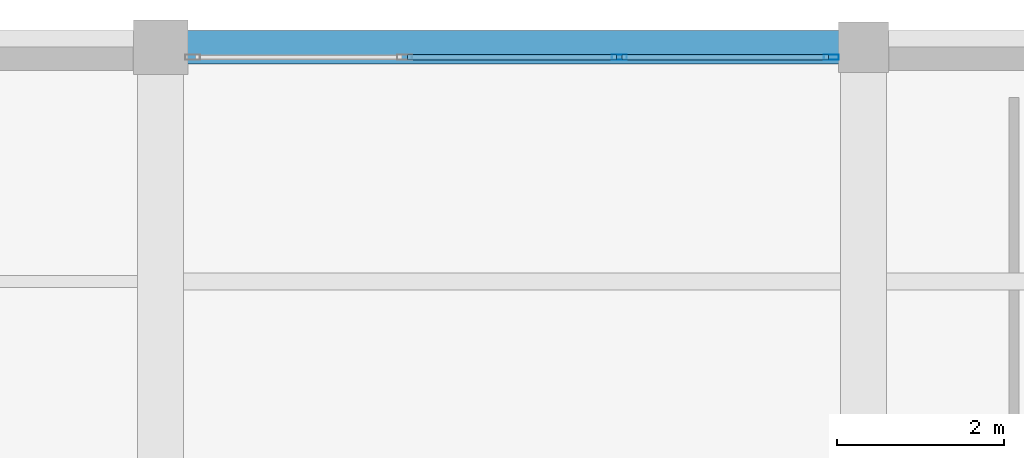
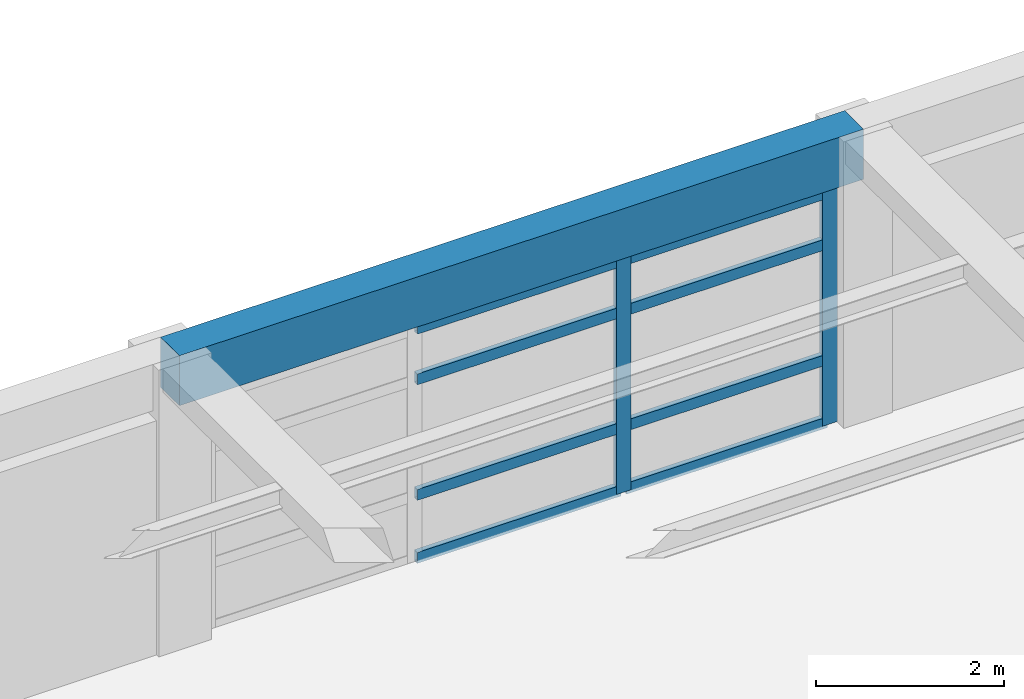
# One storey, part 19 of 26: 10 members, 1 beam, 1 element without a shape of its own.
"""IFC4 building model written with IfcOpenShell, lengths in metres."""

from ifc_helpers import new_model, si_unit, direction, frame, origin, origin_2d, place, context, subcontext, project, spatial, rectangle, hollow_rectangle, extrude, material, material_profile, profile_set, type_object, element, aggregate, save


model = new_model("IFC4")

# Units and contexts
model_context = context("Model", 3, precision=1e-05, world=origin(), true_north=direction((0.0, 1.0)))
body_context = subcontext(model_context, "Body", "Model", "MODEL_VIEW")
ifc_project = project(units=[si_unit("LENGTHUNIT", "METRE"), si_unit("AREAUNIT", "SQUARE_METRE"), si_unit("VOLUMEUNIT", "CUBIC_METRE"), si_unit("PLANEANGLEUNIT", "RADIAN"), si_unit("MASSUNIT", "GRAM", prefix="KILO")], contexts=[model_context])

# Site, building, storey
site_placement = place(None, origin())
site = spatial("IfcSite", under=ifc_project, at=site_placement, CompositionType="ELEMENT")
building_placement = place(site_placement, origin())
building = spatial("IfcBuilding", under=site, at=building_placement, Name="Almacenes y Pasaje Nevantli", CompositionType="ELEMENT")
storey_placement = place(building_placement, frame((0.0, 0.0, 46.699951171875)))
storey = spatial("IfcBuildingStorey", under=building, at=storey_placement, Name="L11", CompositionType="ELEMENT", Elevation=46.699951171875)

# Beam
ifc_material_1 = material(Name="Concrete C35/45", Category="concrete")
ifc_material_profile_1 = material_profile(ifc_material_1, rectangle(XDim=0.39990234375, YDim=0.64990234375, at=origin_2d()), Name="RC-BM-400x650")
ifc_profile_set_1 = profile_set([ifc_material_profile_1], Name="Concrete C35/45")
beam_type = type_object("IfcBeamType", Name="BM-RC-400x650", PredefinedType="SPANDREL", material=ifc_profile_set_1)
beam_placement = place(storey_placement, frame((134.39990234375, 100.800048828125, 3.39501953125), z_axis=(1.0, 0.0, 0.0), x_axis=(0.0, 1.0, 0.0)))
element("IfcBeam", 1, at=beam_placement, inside=storey, type_object=beam_type, Name="L11 East-West Reinforced Concrete Beam #3866", PredefinedType="SPANDREL", context=body_context, shape_type="SweptSolid", body=[
    extrude(rectangle(XDim=0.39990234375, YDim=0.64990234375, at=origin_2d()), origin(), (0.0, 0.0, 1.0), 8.400146484375),
])

# Curtain wall, members
ifc_material_2 = material(Name="Thermally Broken Aluminium and Low-E Glass", Category="aluminium")
curtain_wall_type = type_object("IfcCurtainWallType", Name="CW-UNIT-TOWER", PredefinedType="USERDEFINED", material=ifc_material_2)
curtain_wall_placement = place(storey_placement, origin())
curtain_wall = element("IfcCurtainWall", 2, at=curtain_wall_placement, inside=storey, type_object=curtain_wall_type, Name="L11 Tower North Boulevard Unitized Curtain Wall Bay 17", ObjectType="UNITIZED CURTAIN WALL", PredefinedType="USERDEFINED")
ifc_material_3 = material(Name="Thermally Broken Anodized Aluminium", Category="aluminium")
ifc_material_profile_2 = material_profile(ifc_material_3, hollow_rectangle(XDim=0.06494140625, YDim=0.179931640625, WallThickness=0.00390625, at=origin_2d()), Name="ALU-MUL-65x180")
ifc_profile_set_2 = profile_set([ifc_material_profile_2], Name="Thermally Broken Anodized Aluminium")
member_type_1 = type_object("IfcMemberType", Name="CW-MUL-200", PredefinedType="MULLION", material=ifc_profile_set_2)
member_1_placement = place(storey_placement, frame((139.88330078125, 100.679931640625, 0.0), z_axis=(0.0, 0.0, 1.0), x_axis=(0.0, 1.0, 0.0)))
member_1 = element("IfcMember", 3, at=member_1_placement, type_object=member_type_1, Name="CW-L11-152 mullion 3", PredefinedType="MULLION", context=body_context, shape_type="SweptSolid", body=[
    extrude(hollow_rectangle(XDim=0.06494140625, YDim=0.179931640625, WallThickness=0.00390625, at=origin_2d()), origin(), (0.0, 0.0, 1.0), 3.0400390625),
])
member_2_placement = place(storey_placement, frame((142.41748046875, 100.679931640625, 0.0), z_axis=(0.0, 0.0, 1.0), x_axis=(0.0, 1.0, 0.0)))
member_2 = element("IfcMember", 4, at=member_2_placement, type_object=member_type_1, Name="CW-L11-152 mullion 4", PredefinedType="MULLION", context=body_context, shape_type="SweptSolid", body=[
    extrude(hollow_rectangle(XDim=0.06494140625, YDim=0.179931640625, WallThickness=0.00390625, at=origin_2d()), origin(), (0.0, 0.0, 1.0), 3.0400390625),
])
ifc_material_4 = material(Name="Thermally Broken Anodized Aluminium", Category="aluminium")
ifc_material_profile_3 = material_profile(ifc_material_4, hollow_rectangle(XDim=0.06494140625, YDim=0.139892578125, WallThickness=0.00390625, at=origin_2d()), Name="ALU-TRN-65x140")
ifc_profile_set_3 = profile_set([ifc_material_profile_3], Name="Thermally Broken Anodized Aluminium")
member_type_2 = type_object("IfcMemberType", Name="CW-TRN-150", PredefinedType="USERDEFINED", material=ifc_profile_set_3)
member_3_placement = place(storey_placement, frame((137.34912109375, 100.679931640625, 0.032470703125), z_axis=(1.0, 0.0, 0.0), x_axis=(0.0, 1.0, 0.0)))
member_3 = element("IfcMember", 5, at=member_3_placement, type_object=member_type_2, Name="CW-L11-152 transom 2.1", ObjectType="TRANSOM", PredefinedType="USERDEFINED", context=body_context, shape_type="SweptSolid", body=[
    extrude(hollow_rectangle(XDim=0.06494140625, YDim=0.139892578125, WallThickness=0.00390625, at=origin_2d()), origin(), (0.0, 0.0, 1.0), 2.501708984375),
])
member_4_placement = place(storey_placement, frame((137.34912109375, 100.679931640625, 0.85009765625), z_axis=(1.0, 0.0, 0.0), x_axis=(0.0, 1.0, 0.0)))
member_4 = element("IfcMember", 6, at=member_4_placement, type_object=member_type_2, Name="CW-L11-152 transom 2.2", ObjectType="TRANSOM", PredefinedType="USERDEFINED", context=body_context, shape_type="SweptSolid", body=[
    extrude(hollow_rectangle(XDim=0.06494140625, YDim=0.139892578125, WallThickness=0.00390625, at=origin_2d()), origin(), (0.0, 0.0, 1.0), 2.501708984375),
])
member_5_placement = place(storey_placement, frame((137.34912109375, 100.679931640625, 2.35009765625), z_axis=(1.0, 0.0, 0.0), x_axis=(0.0, 1.0, 0.0)))
member_5 = element("IfcMember", 7, at=member_5_placement, type_object=member_type_2, Name="CW-L11-152 transom 2.3", ObjectType="TRANSOM", PredefinedType="USERDEFINED", context=body_context, shape_type="SweptSolid", body=[
    extrude(hollow_rectangle(XDim=0.06494140625, YDim=0.139892578125, WallThickness=0.00390625, at=origin_2d()), origin(), (0.0, 0.0, 1.0), 2.501708984375),
])
member_6_placement = place(storey_placement, frame((137.34912109375, 100.679931640625, 3.007568359375), z_axis=(1.0, 0.0, 0.0), x_axis=(0.0, 1.0, 0.0)))
member_6 = element("IfcMember", 8, at=member_6_placement, type_object=member_type_2, Name="CW-L11-152 transom 2.4", ObjectType="TRANSOM", PredefinedType="USERDEFINED", context=body_context, shape_type="SweptSolid", body=[
    extrude(hollow_rectangle(XDim=0.06494140625, YDim=0.139892578125, WallThickness=0.00390625, at=origin_2d()), origin(), (0.0, 0.0, 1.0), 2.501708984375),
])
member_7_placement = place(storey_placement, frame((139.915771484375, 100.679931640625, 0.032470703125), z_axis=(1.0, 0.0, 0.0), x_axis=(0.0, 1.0, 0.0)))
member_7 = element("IfcMember", 9, at=member_7_placement, type_object=member_type_2, Name="CW-L11-152 transom 3.1", ObjectType="TRANSOM", PredefinedType="USERDEFINED", context=body_context, shape_type="SweptSolid", body=[
    extrude(hollow_rectangle(XDim=0.06494140625, YDim=0.139892578125, WallThickness=0.00390625, at=origin_2d()), origin(), (0.0, 0.0, 1.0), 2.46923828125),
])
member_8_placement = place(storey_placement, frame((139.915771484375, 100.679931640625, 0.85009765625), z_axis=(1.0, 0.0, 0.0), x_axis=(0.0, 1.0, 0.0)))
member_8 = element("IfcMember", 10, at=member_8_placement, type_object=member_type_2, Name="CW-L11-152 transom 3.2", ObjectType="TRANSOM", PredefinedType="USERDEFINED", context=body_context, shape_type="SweptSolid", body=[
    extrude(hollow_rectangle(XDim=0.06494140625, YDim=0.139892578125, WallThickness=0.00390625, at=origin_2d()), origin(), (0.0, 0.0, 1.0), 2.46923828125),
])
member_9_placement = place(storey_placement, frame((139.915771484375, 100.679931640625, 2.35009765625), z_axis=(1.0, 0.0, 0.0), x_axis=(0.0, 1.0, 0.0)))
member_9 = element("IfcMember", 11, at=member_9_placement, type_object=member_type_2, Name="CW-L11-152 transom 3.3", ObjectType="TRANSOM", PredefinedType="USERDEFINED", context=body_context, shape_type="SweptSolid", body=[
    extrude(hollow_rectangle(XDim=0.06494140625, YDim=0.139892578125, WallThickness=0.00390625, at=origin_2d()), origin(), (0.0, 0.0, 1.0), 2.46923828125),
])
member_10_placement = place(storey_placement, frame((139.915771484375, 100.679931640625, 3.007568359375), z_axis=(1.0, 0.0, 0.0), x_axis=(0.0, 1.0, 0.0)))
member_10 = element("IfcMember", 12, at=member_10_placement, type_object=member_type_2, Name="CW-L11-152 transom 3.4", ObjectType="TRANSOM", PredefinedType="USERDEFINED", context=body_context, shape_type="SweptSolid", body=[
    extrude(hollow_rectangle(XDim=0.06494140625, YDim=0.139892578125, WallThickness=0.00390625, at=origin_2d()), origin(), (0.0, 0.0, 1.0), 2.46923828125),
])
aggregate(curtain_wall, [member_1, member_2, member_3, member_4, member_5, member_6, member_7, member_8, member_9, member_10])

save(model, "model.ifc")
